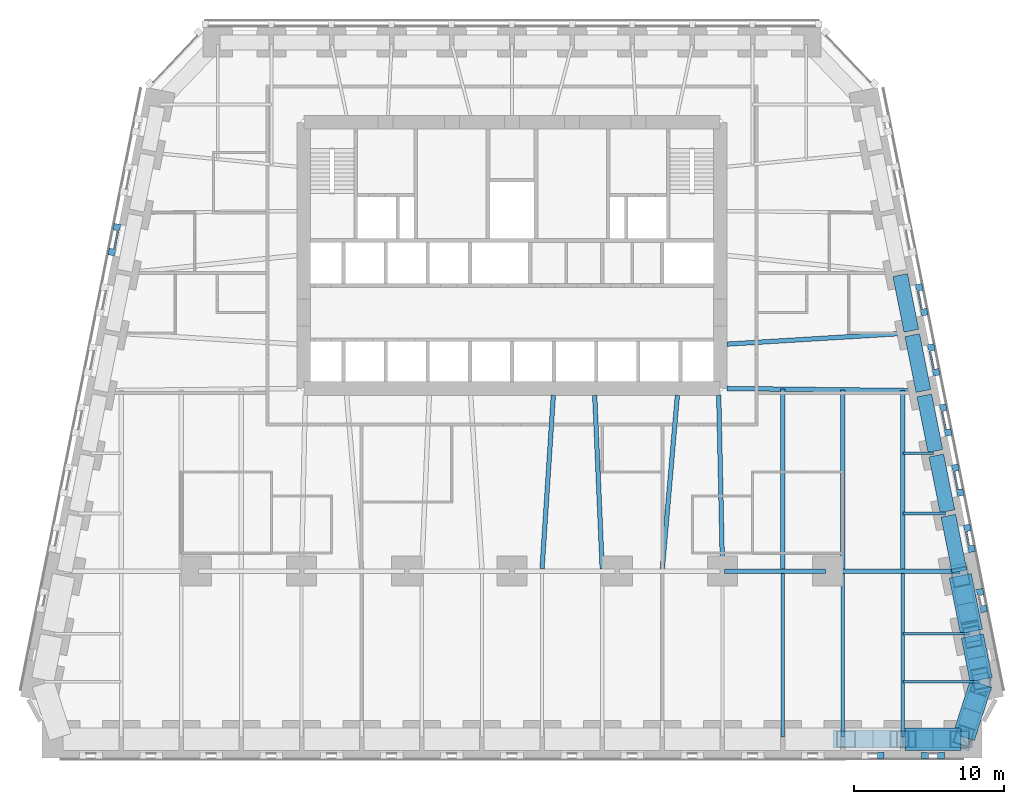
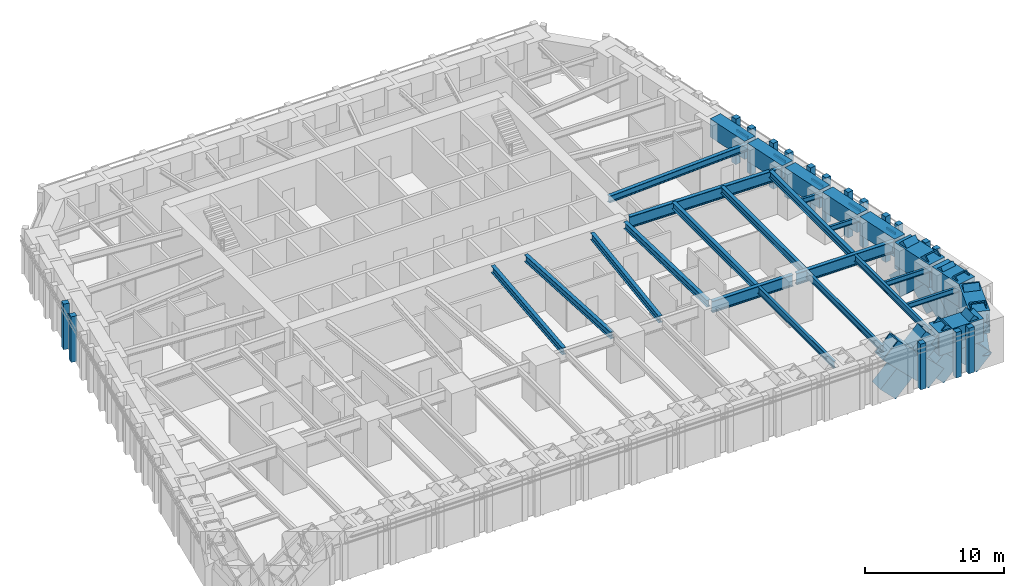
# One storey, part 3 of 16: 33 members, 27 beams, 9 elements without a shape of their own.
"""IFC4 building model written with IfcOpenShell, lengths in metres."""

from ifc_helpers import new_model, si_unit, direction, frame, origin, origin_2d, place, context, subcontext, project, spatial, rectangle, hollow_rectangle, i_section, extrude, material, material_profile, profile_set, type_object, element, aggregate, save


model = new_model("IFC4")

# Units and contexts
model_context = context("Model", 3, precision=1e-05, world=origin(), true_north=direction((0.0, 1.0)))
body_context = subcontext(model_context, "Body", "Model", "MODEL_VIEW")
ifc_project = project(units=[si_unit("LENGTHUNIT", "METRE"), si_unit("AREAUNIT", "SQUARE_METRE"), si_unit("VOLUMEUNIT", "CUBIC_METRE"), si_unit("PLANEANGLEUNIT", "RADIAN"), si_unit("MASSUNIT", "GRAM", prefix="KILO")], contexts=[model_context])

# Site, building, storey
site_placement = place(None, origin())
site = spatial("IfcSite", under=ifc_project, at=site_placement, CompositionType="ELEMENT")
building_placement = place(site_placement, origin())
building = spatial("IfcBuilding", under=site, at=building_placement, Name="Isbrekke Arena Tower", CompositionType="ELEMENT")
storey_placement = place(building_placement, frame((0.0, 0.0, 44.0)))
storey = spatial("IfcBuildingStorey", under=building, at=storey_placement, Name="L08", CompositionType="ELEMENT", Elevation=44.0)

# Beams
ifc_material_1 = material(Name="Steel S355", Category="steel")
ifc_material_profile_1 = material_profile(ifc_material_1, i_section(OverallWidth=0.219970703125, OverallDepth=0.60009765625, WebThickness=0.011962890625, FlangeThickness=0.01904296875, FilletRadius=0.02392578125, at=origin_2d()), Name="IPE 600")
ifc_profile_set_1 = profile_set([ifc_material_profile_1], Name="Steel S355")
beam_type_1 = type_object("IfcBeamType", Name="B1 IPE 600", PredefinedType="BEAM", material=ifc_profile_set_1)
for number, where, z_axis, x_axis, name in (
    (1, (18.0, -17.02490234375, 3.550048828125), (0.0, 1.0, 0.0), (-1.0, 0.0, 0.0), "B1 beam S-S13 L08"),
    (2, (22.0, -17.02490234375, 3.550048828125), (0.0, 1.0, 0.0), (-1.0, 0.0, 0.0), "B1 beam S-S14 L08"),
    (3, (26.0, -17.02490234375, 3.550048828125), (0.0, 1.0, 0.0), (-1.0, 0.0, 0.0), "B1 beam S-S15 L08"),
):
    element("IfcBeam", number, at=place(storey_placement, frame(where, z_axis=z_axis, x_axis=x_axis)), inside=storey, type_object=beam_type_1, Name=name, PredefinedType="BEAM", context=body_context, shape_type="SweptSolid", body=[
        extrude(i_section(OverallWidth=0.219970703125, OverallDepth=0.60009765625, WebThickness=0.011962890625, FlangeThickness=0.01904296875, FilletRadius=0.02392578125, at=origin_2d()), origin(), (0.0, 0.0, 1.0), 10.8740234375),
    ])
ifc_material_2 = material(Name="Steel S355", Category="steel")
ifc_material_profile_2 = material_profile(ifc_material_2, i_section(OverallWidth=0.18994140625, OverallDepth=0.449951171875, WebThickness=0.009521484375, FlangeThickness=0.0146484375, FilletRadius=0.02099609375, at=origin_2d()), Name="IPE 450")
ifc_profile_set_2 = profile_set([ifc_material_profile_2], Name="Steel S355")
beam_type_2 = type_object("IfcBeamType", Name="B2 IPE 450", PredefinedType="BEAM", material=ifc_profile_set_2)
beam_1_placement = place(storey_placement, frame((31.079345703125, -13.352783203125, 3.625), z_axis=(-1.0, 0.0, 0.0), x_axis=(0.0, -1.0, 0.0)))
element("IfcBeam", 4, at=beam_1_placement, inside=storey, type_object=beam_type_2, Name="B2 beam E-E01 L08", PredefinedType="BEAM", context=body_context, shape_type="SweptSolid", body=[
    extrude(i_section(OverallWidth=0.18994140625, OverallDepth=0.449951171875, WebThickness=0.009521484375, FlangeThickness=0.0146484375, FilletRadius=0.02099609375, at=origin_2d()), origin(), (0.0, 0.0, 1.0), 5.079345703125),
])
beam_2_placement = place(storey_placement, frame((30.44091796875, -10.161865234375, 3.625), z_axis=(-1.0, 0.0, 0.0), x_axis=(0.0, -1.0, 0.0)))
element("IfcBeam", 5, at=beam_2_placement, inside=storey, type_object=beam_type_2, Name="B2 beam E-E02 L08", PredefinedType="BEAM", context=body_context, shape_type="SweptSolid", body=[
    extrude(i_section(OverallWidth=0.18994140625, OverallDepth=0.449951171875, WebThickness=0.009521484375, FlangeThickness=0.0146484375, FilletRadius=0.02099609375, at=origin_2d()), origin(), (0.0, 0.0, 1.0), 4.44091796875),
])
beam_3_placement = place(storey_placement, frame((28.841064453125, -2.161865234375, 3.625), z_axis=(-1.0, 0.0, 0.0), x_axis=(0.0, -1.0, 0.0)))
element("IfcBeam", 6, at=beam_3_placement, inside=storey, type_object=beam_type_2, Name="B2 beam E-E04 L08", PredefinedType="BEAM", context=body_context, shape_type="SweptSolid", body=[
    extrude(i_section(OverallWidth=0.18994140625, OverallDepth=0.449951171875, WebThickness=0.009521484375, FlangeThickness=0.0146484375, FilletRadius=0.02099609375, at=origin_2d()), origin(), (0.0, 0.0, 1.0), 2.841064453125),
])
beam_4_placement = place(storey_placement, frame((28.041015625, 1.838134765625, 3.625), z_axis=(-1.0, 0.0, 0.0), x_axis=(0.0, -1.0, 0.0)))
element("IfcBeam", 7, at=beam_4_placement, inside=storey, type_object=beam_type_2, Name="B2 beam E-E05 L08", PredefinedType="BEAM", context=body_context, shape_type="SweptSolid", body=[
    extrude(i_section(OverallWidth=0.18994140625, OverallDepth=0.449951171875, WebThickness=0.009521484375, FlangeThickness=0.0146484375, FilletRadius=0.02099609375, at=origin_2d()), origin(), (0.0, 0.0, 1.0), 2.041015625),
])
ifc_material_3 = material(Name="Steel S355", Category="steel")
ifc_material_profile_3 = material_profile(ifc_material_3, i_section(OverallWidth=0.300048828125, OverallDepth=0.60009765625, WebThickness=0.015380859375, FlangeThickness=0.030029296875, FilletRadius=0.027099609375, at=origin_2d()), Name="HEB 600")
ifc_profile_set_3 = profile_set([ifc_material_profile_3], Name="Steel S355")
beam_type_3 = type_object("IfcBeamType", Name="B7 HEB 600", PredefinedType="BEAM", material=ifc_profile_set_3)
beam_5_placement = place(storey_placement, frame((2.000732421875, -5.83935546875, 3.550048828125), z_axis=(0.064795318476, 0.997898575359, 0.0), x_axis=(-0.997898575359, 0.064795318476, 0.0)))
element("IfcBeam", 8, at=beam_5_placement, inside=storey, type_object=beam_type_3, Name="B7 beam C-M08 L08", PredefinedType="BEAM", context=body_context, shape_type="SweptSolid", body=[
    extrude(i_section(OverallWidth=0.300048828125, OverallDepth=0.60009765625, WebThickness=0.015380859375, FlangeThickness=0.030029296875, FilletRadius=0.027099609375, at=origin_2d()), origin(), (0.0, 0.0, 1.0), 11.563720703125),
])
beam_6_placement = place(storey_placement, frame((5.999755859375, -5.842529296875, 3.550048828125), z_axis=(-0.04325656756, 0.99906399663, 0.0), x_axis=(-0.99906399663, -0.04325656756, 0.0)))
element("IfcBeam", 9, at=beam_6_placement, inside=storey, type_object=beam_type_3, Name="B7 beam C-M09 L08", PredefinedType="BEAM", context=body_context, shape_type="SweptSolid", body=[
    extrude(i_section(OverallWidth=0.300048828125, OverallDepth=0.60009765625, WebThickness=0.015380859375, FlangeThickness=0.030029296875, FilletRadius=0.027099609375, at=origin_2d()), origin(), (0.0, 0.0, 1.0), 11.55322265625),
])
beam_7_placement = place(storey_placement, frame((10.001220703125, -5.836181640625, 3.550048828125), z_axis=(0.086255671377, 0.996273034442, 0.0), x_axis=(-0.996273034442, 0.086255671377, 0.0)))
element("IfcBeam", 10, at=beam_7_placement, inside=storey, type_object=beam_type_3, Name="B7 beam C-M10 L08", PredefinedType="BEAM", context=body_context, shape_type="SweptSolid", body=[
    extrude(i_section(OverallWidth=0.300048828125, OverallDepth=0.60009765625, WebThickness=0.015380859375, FlangeThickness=0.030029296875, FilletRadius=0.027099609375, at=origin_2d()), origin(), (0.0, 0.0, 1.0), 11.579345703125),
])
beam_8_placement = place(storey_placement, frame((14.0, -5.8466796875, 3.550048828125), z_axis=(-0.021646264273, 0.999765692171, 0.0), x_axis=(-0.999765692171, -0.021646264273, 0.0)))
element("IfcBeam", 11, at=beam_8_placement, inside=storey, type_object=beam_type_3, Name="B7 beam C-M11 L08", PredefinedType="BEAM", context=body_context, shape_type="SweptSolid", body=[
    extrude(i_section(OverallWidth=0.300048828125, OverallDepth=0.60009765625, WebThickness=0.015380859375, FlangeThickness=0.030029296875, FilletRadius=0.027099609375, at=origin_2d()), origin(), (0.0, 0.0, 1.0), 11.54931640625),
])
beam_9_placement = place(storey_placement, frame((18.0, -5.84912109375, 3.550048828125), z_axis=(0.0, 1.0, 0.0), x_axis=(-1.0, 0.0, 0.0)))
element("IfcBeam", 12, at=beam_9_placement, inside=storey, type_object=beam_type_3, Name="B7 beam C-M12 L08", PredefinedType="BEAM", context=body_context, shape_type="SweptSolid", body=[
    extrude(i_section(OverallWidth=0.300048828125, OverallDepth=0.60009765625, WebThickness=0.015380859375, FlangeThickness=0.030029296875, FilletRadius=0.027099609375, at=origin_2d()), origin(), (0.0, 0.0, 1.0), 11.956787109375),
])
beam_10_placement = place(storey_placement, frame((22.0, -5.84912109375, 3.550048828125), z_axis=(0.0, 1.0, 0.0), x_axis=(-1.0, 0.0, 0.0)))
element("IfcBeam", 13, at=beam_10_placement, inside=storey, type_object=beam_type_3, Name="B7 beam C-M13 L08", PredefinedType="BEAM", context=body_context, shape_type="SweptSolid", body=[
    extrude(i_section(OverallWidth=0.300048828125, OverallDepth=0.60009765625, WebThickness=0.015380859375, FlangeThickness=0.030029296875, FilletRadius=0.027099609375, at=origin_2d()), origin(), (0.0, 0.0, 1.0), 11.910888671875),
])
beam_11_placement = place(storey_placement, frame((26.0, -5.84912109375, 3.550048828125), z_axis=(0.0, 1.0, 0.0), x_axis=(-1.0, 0.0, 0.0)))
element("IfcBeam", 14, at=beam_11_placement, inside=storey, type_object=beam_type_3, Name="B7 beam C-M14 L08", PredefinedType="BEAM", context=body_context, shape_type="SweptSolid", body=[
    extrude(i_section(OverallWidth=0.300048828125, OverallDepth=0.60009765625, WebThickness=0.015380859375, FlangeThickness=0.030029296875, FilletRadius=0.027099609375, at=origin_2d()), origin(), (0.0, 0.0, 1.0), 11.864990234375),
])
beam_12_placement = place(storey_placement, frame((26.431884765625, 9.837646484375, 3.550048828125), z_axis=(-0.998157121592, -0.060682457223, 0.0), x_axis=(0.060682457223, -0.998157121592, 0.0)))
element("IfcBeam", 15, at=beam_12_placement, inside=storey, type_object=beam_type_3, Name="B7 beam E-E07 L08", PredefinedType="BEAM", context=body_context, shape_type="SweptSolid", body=[
    extrude(i_section(OverallWidth=0.300048828125, OverallDepth=0.60009765625, WebThickness=0.015380859375, FlangeThickness=0.030029296875, FilletRadius=0.027099609375, at=origin_2d()), origin(), (0.0, 0.0, 1.0), 12.154296875),
])

# Curtain wall, member
ifc_material_4 = material(Name="Glazed aluminium curtain wall", Category="aluminium")
curtain_wall_type = type_object("IfcCurtainWallType", Name="CWL TOWER CURTAIN WALL LOW ZONE", PredefinedType="USERDEFINED", material=ifc_material_4)
curtain_wall_1_placement = place(storey_placement, origin())
curtain_wall_1 = element("IfcCurtainWall", 16, at=curtain_wall_1_placement, inside=storey, type_object=curtain_wall_type, Name="CWL curtain wall L08-S27", ObjectType="TOWER CURTAIN WALL LOW ZONE", PredefinedType="USERDEFINED")
ifc_material_5 = material(Name="Aluminium mullion, pale brick slip cladding", Category="masonry")
ifc_material_profile_4 = material_profile(ifc_material_5, rectangle(XDim=0.449951171875, YDim=0.449951171875, at=origin_2d()), Name="PIER 450X450")
ifc_profile_set_4 = profile_set([ifc_material_profile_4], Name="Aluminium mullion, pale brick slip cladding")
member_type_1 = type_object("IfcMemberType", Name="CWL-M PIER MULLION 450 x 450", PredefinedType="MULLION", material=ifc_profile_set_4)
member_1_placement = place(storey_placement, frame((24.52490234375, -18.25, 0.0), z_axis=(0.0, 0.0, 1.0), x_axis=(1.0, 0.0, 0.0)))
member_1 = element("IfcMember", 17, at=member_1_placement, type_object=member_type_1, Name="CWL-M mullion 2", PredefinedType="MULLION", context=body_context, shape_type="SweptSolid", body=[
    extrude(rectangle(XDim=0.449951171875, YDim=0.449951171875, at=origin_2d()), origin(), (0.0, 0.0, 1.0), 4.0),
])
aggregate(curtain_wall_1, [member_1])

# Curtain wall, members
curtain_wall_2_placement = place(storey_placement, origin())
curtain_wall_2 = element("IfcCurtainWall", 18, at=curtain_wall_2_placement, inside=storey, type_object=curtain_wall_type, Name="CWL curtain wall L08-S29", ObjectType="TOWER CURTAIN WALL LOW ZONE", PredefinedType="USERDEFINED")
member_2_placement = place(storey_placement, frame((27.47509765625, -18.25, 0.0), z_axis=(0.0, 0.0, 1.0), x_axis=(1.0, 0.0, 0.0)))
member_2 = element("IfcMember", 19, at=member_2_placement, type_object=member_type_1, Name="CWL-M mullion 1", PredefinedType="MULLION", context=body_context, shape_type="SweptSolid", body=[
    extrude(rectangle(XDim=0.449951171875, YDim=0.449951171875, at=origin_2d()), origin(), (0.0, 0.0, 1.0), 4.0),
])
member_3_placement = place(storey_placement, frame((28.527099609375, -18.25, 0.0), z_axis=(0.0, 0.0, 1.0), x_axis=(1.0, 0.0, 0.0)))
member_3 = element("IfcMember", 20, at=member_3_placement, type_object=member_type_1, Name="CWL-M mullion 2", PredefinedType="MULLION", context=body_context, shape_type="SweptSolid", body=[
    extrude(rectangle(XDim=0.449951171875, YDim=0.449951171875, at=origin_2d()), origin(), (0.0, 0.0, 1.0), 4.0),
])
aggregate(curtain_wall_2, [member_2, member_3])

curtain_wall_3_placement = place(storey_placement, origin())
curtain_wall_3 = element("IfcCurtainWall", 21, at=curtain_wall_3_placement, inside=storey, type_object=curtain_wall_type, Name="CWL curtain wall L08-E3", ObjectType="TOWER CURTAIN WALL LOW ZONE", PredefinedType="USERDEFINED")
member_4_placement = place(storey_placement, frame((31.35595703125, -8.504638671875, 0.0), z_axis=(0.0, 0.0, 1.0), x_axis=(-0.196116135138, 0.980580675691, 0.0)))
member_4 = element("IfcMember", 22, at=member_4_placement, type_object=member_type_1, Name="CWL-M mullion 1", PredefinedType="MULLION", context=body_context, shape_type="SweptSolid", body=[
    extrude(rectangle(XDim=0.449951171875, YDim=0.449951171875, at=origin_2d()), origin(), (0.0, 0.0, 1.0), 4.0),
])
member_5_placement = place(storey_placement, frame((31.134521484375, -7.397216796875, 0.0), z_axis=(0.0, 0.0, 1.0), x_axis=(-0.196116135138, 0.980580675691, 0.0)))
member_5 = element("IfcMember", 23, at=member_5_placement, type_object=member_type_1, Name="CWL-M mullion 2", PredefinedType="MULLION", context=body_context, shape_type="SweptSolid", body=[
    extrude(rectangle(XDim=0.449951171875, YDim=0.449951171875, at=origin_2d()), origin(), (0.0, 0.0, 1.0), 4.0),
])
aggregate(curtain_wall_3, [member_4, member_5])

curtain_wall_4_placement = place(storey_placement, origin())
curtain_wall_4 = element("IfcCurtainWall", 24, at=curtain_wall_4_placement, inside=storey, type_object=curtain_wall_type, Name="CWL curtain wall L08-E5", ObjectType="TOWER CURTAIN WALL LOW ZONE", PredefinedType="USERDEFINED")
member_6_placement = place(storey_placement, frame((30.555908203125, -4.504638671875, 0.0), z_axis=(0.0, 0.0, 1.0), x_axis=(-0.196116135138, 0.980580675691, 0.0)))
member_6 = element("IfcMember", 25, at=member_6_placement, type_object=member_type_1, Name="CWL-M mullion 1", PredefinedType="MULLION", context=body_context, shape_type="SweptSolid", body=[
    extrude(rectangle(XDim=0.449951171875, YDim=0.449951171875, at=origin_2d()), origin(), (0.0, 0.0, 1.0), 4.0),
])
member_7_placement = place(storey_placement, frame((30.280517578125, -3.127685546875, 0.0), z_axis=(0.0, 0.0, 1.0), x_axis=(-0.196116135138, 0.980580675691, 0.0)))
member_7 = element("IfcMember", 26, at=member_7_placement, type_object=member_type_1, Name="CWL-M mullion 2", PredefinedType="MULLION", context=body_context, shape_type="SweptSolid", body=[
    extrude(rectangle(XDim=0.449951171875, YDim=0.449951171875, at=origin_2d()), origin(), (0.0, 0.0, 1.0), 4.0),
])

curtain_wall_5_placement = place(storey_placement, origin())
curtain_wall_5 = element("IfcCurtainWall", 27, at=curtain_wall_5_placement, inside=storey, type_object=curtain_wall_type, Name="CWL curtain wall L08-E7", ObjectType="TOWER CURTAIN WALL LOW ZONE", PredefinedType="USERDEFINED")
member_8_placement = place(storey_placement, frame((29.809814453125, -0.774169921875, 0.0), z_axis=(0.0, 0.0, 1.0), x_axis=(-0.196116135138, 0.980580675691, 0.0)))
member_8 = element("IfcMember", 28, at=member_8_placement, type_object=member_type_1, Name="CWL-M mullion 1", PredefinedType="MULLION", context=body_context, shape_type="SweptSolid", body=[
    extrude(rectangle(XDim=0.449951171875, YDim=0.449951171875, at=origin_2d()), origin(), (0.0, 0.0, 1.0), 4.0),
])
member_9_placement = place(storey_placement, frame((29.48046875, 0.872314453125, 0.0), z_axis=(0.0, 0.0, 1.0), x_axis=(-0.196116135138, 0.980580675691, 0.0)))
member_9 = element("IfcMember", 29, at=member_9_placement, type_object=member_type_1, Name="CWL-M mullion 2", PredefinedType="MULLION", context=body_context, shape_type="SweptSolid", body=[
    extrude(rectangle(XDim=0.449951171875, YDim=0.449951171875, at=origin_2d()), origin(), (0.0, 0.0, 1.0), 4.0),
])

curtain_wall_6_placement = place(storey_placement, origin())
curtain_wall_6 = element("IfcCurtainWall", 30, at=curtain_wall_6_placement, inside=storey, type_object=curtain_wall_type, Name="CWL curtain wall L08-E9", ObjectType="TOWER CURTAIN WALL LOW ZONE", PredefinedType="USERDEFINED")
member_10_placement = place(storey_placement, frame((29.009765625, 3.225830078125, 0.0), z_axis=(0.0, 0.0, 1.0), x_axis=(-0.196116135138, 0.980580675691, 0.0)))
member_10 = element("IfcMember", 31, at=member_10_placement, type_object=member_type_1, Name="CWL-M mullion 1", PredefinedType="MULLION", context=body_context, shape_type="SweptSolid", body=[
    extrude(rectangle(XDim=0.449951171875, YDim=0.449951171875, at=origin_2d()), origin(), (0.0, 0.0, 1.0), 4.0),
])
member_11_placement = place(storey_placement, frame((28.680419921875, 4.872314453125, 0.0), z_axis=(0.0, 0.0, 1.0), x_axis=(-0.196116135138, 0.980580675691, 0.0)))
member_11 = element("IfcMember", 32, at=member_11_placement, type_object=member_type_1, Name="CWL-M mullion 2", PredefinedType="MULLION", context=body_context, shape_type="SweptSolid", body=[
    extrude(rectangle(XDim=0.449951171875, YDim=0.449951171875, at=origin_2d()), origin(), (0.0, 0.0, 1.0), 4.0),
])

curtain_wall_7_placement = place(storey_placement, origin())
curtain_wall_7 = element("IfcCurtainWall", 33, at=curtain_wall_7_placement, inside=storey, type_object=curtain_wall_type, Name="CWL curtain wall L08-E11", ObjectType="TOWER CURTAIN WALL LOW ZONE", PredefinedType="USERDEFINED")
member_12_placement = place(storey_placement, frame((28.209716796875, 7.225830078125, 0.0), z_axis=(0.0, 0.0, 1.0), x_axis=(-0.196116135138, 0.980580675691, 0.0)))
member_12 = element("IfcMember", 34, at=member_12_placement, type_object=member_type_1, Name="CWL-M mullion 1", PredefinedType="MULLION", context=body_context, shape_type="SweptSolid", body=[
    extrude(rectangle(XDim=0.449951171875, YDim=0.449951171875, at=origin_2d()), origin(), (0.0, 0.0, 1.0), 4.0),
])
member_13_placement = place(storey_placement, frame((27.88037109375, 8.872314453125, 0.0), z_axis=(0.0, 0.0, 1.0), x_axis=(-0.196116135138, 0.980580675691, 0.0)))
member_13 = element("IfcMember", 35, at=member_13_placement, type_object=member_type_1, Name="CWL-M mullion 2", PredefinedType="MULLION", context=body_context, shape_type="SweptSolid", body=[
    extrude(rectangle(XDim=0.449951171875, YDim=0.449951171875, at=origin_2d()), origin(), (0.0, 0.0, 1.0), 4.0),
])

curtain_wall_8_placement = place(storey_placement, origin())
curtain_wall_8 = element("IfcCurtainWall", 36, at=curtain_wall_8_placement, inside=storey, type_object=curtain_wall_type, Name="CWL curtain wall L08-E13", ObjectType="TOWER CURTAIN WALL LOW ZONE", PredefinedType="USERDEFINED")
member_14_placement = place(storey_placement, frame((27.409912109375, 11.225830078125, 0.0), z_axis=(0.0, 0.0, 1.0), x_axis=(-0.196116135138, 0.980580675691, 0.0)))
member_14 = element("IfcMember", 37, at=member_14_placement, type_object=member_type_1, Name="CWL-M mullion 1", PredefinedType="MULLION", context=body_context, shape_type="SweptSolid", body=[
    extrude(rectangle(XDim=0.449951171875, YDim=0.449951171875, at=origin_2d()), origin(), (0.0, 0.0, 1.0), 4.0),
])
member_15_placement = place(storey_placement, frame((27.08056640625, 12.872314453125, 0.0), z_axis=(0.0, 0.0, 1.0), x_axis=(-0.196116135138, 0.980580675691, 0.0)))
member_15 = element("IfcMember", 38, at=member_15_placement, type_object=member_type_1, Name="CWL-M mullion 2", PredefinedType="MULLION", context=body_context, shape_type="SweptSolid", body=[
    extrude(rectangle(XDim=0.449951171875, YDim=0.449951171875, at=origin_2d()), origin(), (0.0, 0.0, 1.0), 4.0),
])

curtain_wall_9_placement = place(storey_placement, origin())
curtain_wall_9 = element("IfcCurtainWall", 39, at=curtain_wall_9_placement, inside=storey, type_object=curtain_wall_type, Name="CWL curtain wall L08-W5", ObjectType="TOWER CURTAIN WALL LOW ZONE", PredefinedType="USERDEFINED")
member_16_placement = place(storey_placement, frame((-26.280517578125, 16.872314453125, 0.0), z_axis=(0.0, 0.0, 1.0), x_axis=(-0.196116135138, -0.980580675691, 0.0)))
member_16 = element("IfcMember", 40, at=member_16_placement, type_object=member_type_1, Name="CWL-M mullion 1", PredefinedType="MULLION", context=body_context, shape_type="SweptSolid", body=[
    extrude(rectangle(XDim=0.449951171875, YDim=0.449951171875, at=origin_2d()), origin(), (0.0, 0.0, 1.0), 4.0),
])
member_17_placement = place(storey_placement, frame((-26.60986328125, 15.225830078125, 0.0), z_axis=(0.0, 0.0, 1.0), x_axis=(-0.196116135138, -0.980580675691, 0.0)))
member_17 = element("IfcMember", 41, at=member_17_placement, type_object=member_type_1, Name="CWL-M mullion 2", PredefinedType="MULLION", context=body_context, shape_type="SweptSolid", body=[
    extrude(rectangle(XDim=0.449951171875, YDim=0.449951171875, at=origin_2d()), origin(), (0.0, 0.0, 1.0), 4.0),
])

# Member
ifc_material_6 = material(Name="Aluminium transom", Category="aluminium")
ifc_material_profile_5 = material_profile(ifc_material_6, rectangle(XDim=0.1201171875, YDim=0.199951171875, at=origin_2d()), Name="TRANSOM 120X200")
ifc_profile_set_5 = profile_set([ifc_material_profile_5], Name="Aluminium transom")
member_type_2 = type_object("IfcMemberType", Name="CWL-T TRANSOM 120 x 200", PredefinedType="USERDEFINED", material=ifc_profile_set_5)
member_18_placement = place(storey_placement, frame((30.38916015625, -4.30859375, 3.0), z_axis=(-0.19596853661, 0.980610183844, 0.0), x_axis=(-0.980610183844, -0.19596853661, 0.0)))
member_18 = element("IfcMember", 42, at=member_18_placement, type_object=member_type_2, Name="CWL-T transom 1", ObjectType="TRANSOM", PredefinedType="USERDEFINED", context=body_context, shape_type="SweptSolid", body=[
    extrude(rectangle(XDim=0.1201171875, YDim=0.199951171875, at=origin_2d()), origin(), (0.0, 0.0, 1.0), 0.954345703125),
])

aggregate(curtain_wall_4, [member_6, member_7, member_18])

member_19_placement = place(storey_placement, frame((29.64306640625, -0.578125, 3.0), z_axis=(-0.196039741533, 0.980595951317, 0.0), x_axis=(-0.980595951317, -0.196039741533, 0.0)))
member_19 = element("IfcMember", 43, at=member_19_placement, type_object=member_type_2, Name="CWL-T transom 1", ObjectType="TRANSOM", PredefinedType="USERDEFINED", context=body_context, shape_type="SweptSolid", body=[
    extrude(rectangle(XDim=0.1201171875, YDim=0.199951171875, at=origin_2d()), origin(), (0.0, 0.0, 1.0), 1.229248046875),
])

aggregate(curtain_wall_5, [member_8, member_9, member_19])

member_20_placement = place(storey_placement, frame((28.843017578125, 3.421875, 3.0), z_axis=(-0.196039741533, 0.980595951317, 0.0), x_axis=(-0.980595951317, -0.196039741533, 0.0)))
member_20 = element("IfcMember", 44, at=member_20_placement, type_object=member_type_2, Name="CWL-T transom 1", ObjectType="TRANSOM", PredefinedType="USERDEFINED", context=body_context, shape_type="SweptSolid", body=[
    extrude(rectangle(XDim=0.1201171875, YDim=0.199951171875, at=origin_2d()), origin(), (0.0, 0.0, 1.0), 1.229248046875),
])

aggregate(curtain_wall_6, [member_10, member_11, member_20])

member_21_placement = place(storey_placement, frame((28.043212890625, 7.421875, 3.0), z_axis=(-0.19623071885, 0.980557751986, 0.0), x_axis=(-0.980557751986, -0.19623071885, 0.0)))
member_21 = element("IfcMember", 45, at=member_21_placement, type_object=member_type_2, Name="CWL-T transom 1", ObjectType="TRANSOM", PredefinedType="USERDEFINED", context=body_context, shape_type="SweptSolid", body=[
    extrude(rectangle(XDim=0.1201171875, YDim=0.199951171875, at=origin_2d()), origin(), (0.0, 0.0, 1.0), 1.229248046875),
])

aggregate(curtain_wall_7, [member_12, member_13, member_21])

member_22_placement = place(storey_placement, frame((27.2431640625, 11.421875, 3.0), z_axis=(-0.19623071885, 0.980557751986, 0.0), x_axis=(-0.980557751986, -0.19623071885, 0.0)))
member_22 = element("IfcMember", 46, at=member_22_placement, type_object=member_type_2, Name="CWL-T transom 1", ObjectType="TRANSOM", PredefinedType="USERDEFINED", context=body_context, shape_type="SweptSolid", body=[
    extrude(rectangle(XDim=0.1201171875, YDim=0.199951171875, at=origin_2d()), origin(), (0.0, 0.0, 1.0), 1.229248046875),
])

aggregate(curtain_wall_8, [member_14, member_15, member_22])

member_23_placement = place(storey_placement, frame((-26.2021484375, 16.627197265625, 3.0), z_axis=(-0.196039741533, -0.980595951317, 0.0), x_axis=(0.980595951317, -0.196039741533, 0.0)))
member_23 = element("IfcMember", 47, at=member_23_placement, type_object=member_type_2, Name="CWL-T transom 1", ObjectType="TRANSOM", PredefinedType="USERDEFINED", context=body_context, shape_type="SweptSolid", body=[
    extrude(rectangle(XDim=0.1201171875, YDim=0.199951171875, at=origin_2d()), origin(), (0.0, 0.0, 1.0), 1.229248046875),
])

aggregate(curtain_wall_9, [member_16, member_17, member_23])

# Beams
ifc_material_7 = material(Name="Steel S355", Category="steel")
ifc_material_profile_6 = material_profile(ifc_material_7, i_section(OverallWidth=0.302001953125, OverallDepth=1.008056640625, WebThickness=0.02099609375, FlangeThickness=0.0400390625, FilletRadius=0.030029296875, at=origin_2d()), Name="HEM 1000")
ifc_profile_set_6 = profile_set([ifc_material_profile_6], Name="Steel S355")
beam_type_4 = type_object("IfcBeamType", Name="G1 HEM 1000", PredefinedType="BEAM", material=ifc_profile_set_6)
beam_13_placement = place(storey_placement, frame((14.14990234375, -6.0, 3.345947265625), z_axis=(1.0, 0.0, 0.0), x_axis=(0.0, 1.0, 0.0)))
element("IfcBeam", 48, at=beam_13_placement, inside=storey, type_object=beam_type_4, Name="G1 beam G1-07 L08", PredefinedType="BEAM", context=body_context, shape_type="SweptSolid", body=[
    extrude(i_section(OverallWidth=0.302001953125, OverallDepth=1.008056640625, WebThickness=0.02099609375, FlangeThickness=0.0400390625, FilletRadius=0.030029296875, at=origin_2d()), origin(), (0.0, 0.0, 1.0), 6.7001953125),
])
beam_14_placement = place(storey_placement, frame((21.14990234375, -6.0, 3.345947265625), z_axis=(1.0, 0.0, 0.0), x_axis=(0.0, 1.0, 0.0)))
element("IfcBeam", 49, at=beam_14_placement, inside=storey, type_object=beam_type_4, Name="G1 beam G1-08 L08", PredefinedType="BEAM", context=body_context, shape_type="SweptSolid", body=[
    extrude(i_section(OverallWidth=0.302001953125, OverallDepth=1.008056640625, WebThickness=0.02099609375, FlangeThickness=0.0400390625, FilletRadius=0.030029296875, at=origin_2d()), origin(), (0.0, 0.0, 1.0), 8.64111328125),
])
ifc_material_8 = material(Name="Steel S355", Category="steel")
ifc_material_profile_7 = material_profile(ifc_material_8, i_section(OverallWidth=0.302001953125, OverallDepth=1.008056640625, WebThickness=0.02099609375, FlangeThickness=0.0400390625, FilletRadius=0.030029296875, at=origin_2d()), Name="HEM 1000")
ifc_profile_set_7 = profile_set([ifc_material_profile_7], Name="Steel S355")
beam_type_5 = type_object("IfcBeamType", Name="G2 HEM 1000", PredefinedType="BEAM", material=ifc_profile_set_7)
beam_15_placement = place(storey_placement, frame((14.300048828125, 6.14990234375, 3.345947265625), z_axis=(0.999934429634, -0.011451481699, 0.0), x_axis=(0.011451481699, 0.999934429634, 0.0)))
element("IfcBeam", 50, at=beam_15_placement, inside=storey, type_object=beam_type_5, Name="G2 beam G2-E L08", PredefinedType="BEAM", context=body_context, shape_type="SweptSolid", body=[
    extrude(i_section(OverallWidth=0.302001953125, OverallDepth=1.008056640625, WebThickness=0.02099609375, FlangeThickness=0.0400390625, FilletRadius=0.030029296875, at=origin_2d()), origin(), (0.0, 0.0, 1.0), 13.09033203125),
])
ifc_material_9 = material(Name="Concrete B90 (C90/105)", Category="concrete")
ifc_material_profile_8 = material_profile(ifc_material_9, rectangle(XDim=1.0, YDim=1.60009765625, at=origin_2d()), Name="RC 1000x1600")
ifc_profile_set_8 = profile_set([ifc_material_profile_8], Name="Concrete B90 (C90/105)")
beam_type_6 = type_object("IfcBeamType", Name="SB1 RC 1000 x 1600", PredefinedType="SPANDREL", material=ifc_profile_set_8)
for number, where, z_axis, x_axis, name in (
    (51, (29.76171875, -6.0146484375, 3.199951171875), (-0.196128558387, 0.980578190959, 0.0), (-0.980578190959, -0.196128558387, 0.0), "SB1 spandrel E03-E04 L08"),
    (52, (28.961669921875, -2.0146484375, 3.199951171875), (-0.196128558387, 0.980578190959, 0.0), (-0.980578190959, -0.196128558387, 0.0), "SB1 spandrel E04-E05 L08"),
    (53, (28.16162109375, 1.9853515625, 3.199951171875), (-0.196128558387, 0.980578190959, 0.0), (-0.980578190959, -0.196128558387, 0.0), "SB1 spandrel E05-E06 L08"),
    (54, (27.361572265625, 5.9853515625, 3.199951171875), (-0.196128558387, 0.980578190959, 0.0), (-0.980578190959, -0.196128558387, 0.0), "SB1 spandrel E06-E07 L08"),
):
    element("IfcBeam", number, at=place(storey_placement, frame(where, z_axis=z_axis, x_axis=x_axis)), inside=storey, type_object=beam_type_6, Name=name, PredefinedType="SPANDREL", context=body_context, shape_type="SweptSolid", body=[
        extrude(rectangle(XDim=1.0, YDim=1.60009765625, at=origin_2d()), origin(), (0.0, 0.0, 1.0), 3.779296875),
    ])
beam_16_placement = place(storey_placement, frame((26.5615234375, 9.9853515625, 3.199951171875), z_axis=(-0.1960664412, 0.980590613169, 0.0), x_axis=(-0.980590613169, -0.1960664412, 0.0)))
element("IfcBeam", 55, at=beam_16_placement, inside=storey, type_object=beam_type_6, Name="SB1 spandrel E07-E08 L08", PredefinedType="SPANDREL", context=body_context, shape_type="SweptSolid", body=[
    extrude(rectangle(XDim=1.0, YDim=1.60009765625, at=origin_2d()), origin(), (0.0, 0.0, 1.0), 3.779052734375),
])
ifc_material_10 = material(Name="Concrete B90 (C90/105)", Category="concrete")
ifc_material_profile_9 = material_profile(ifc_material_10, rectangle(XDim=1.5, YDim=2.0, at=origin_2d()), Name="RC 1500x2000")
ifc_profile_set_9 = profile_set([ifc_material_profile_9], Name="Concrete B90 (C90/105)")
beam_type_7 = type_object("IfcBeamType", Name="SB6 RC 1500 x 2000", PredefinedType="SPANDREL", material=ifc_profile_set_9)
beam_17_placement = place(storey_placement, frame((26.14990234375, -17.175048828125, 3.0), z_axis=(1.0, 0.0, 0.0), x_axis=(0.0, 1.0, 0.0)))
element("IfcBeam", 56, at=beam_17_placement, inside=storey, type_object=beam_type_7, Name="SB6 spandrel S15-S16 L08", PredefinedType="SPANDREL", context=body_context, shape_type="SweptSolid", body=[
    extrude(rectangle(XDim=1.5, YDim=2.0, at=origin_2d()), origin(), (0.0, 0.0, 1.0), 3.7001953125),
])
beam_18_placement = place(storey_placement, frame((30.0458984375, -17.0322265625, 3.0), z_axis=(0.306175101476, 0.951975213562, 0.0), x_axis=(-0.951975213562, 0.306175101476, 0.0)))
element("IfcBeam", 57, at=beam_18_placement, inside=storey, type_object=beam_type_7, Name="SB6 spandrel S16-E01 L08", PredefinedType="SPANDREL", context=body_context, shape_type="SweptSolid", body=[
    extrude(rectangle(XDim=1.5, YDim=2.0, at=origin_2d()), origin(), (0.0, 0.0, 1.0), 3.715087890625),
])
beam_19_placement = place(storey_placement, frame((31.19970703125, -13.205810546875, 3.0), z_axis=(-0.196100243168, 0.980583853951, 0.0), x_axis=(-0.980583853951, -0.196100243168, 0.0)))
element("IfcBeam", 58, at=beam_19_placement, inside=storey, type_object=beam_type_7, Name="SB6 spandrel E01-E02 L08", PredefinedType="SPANDREL", context=body_context, shape_type="SweptSolid", body=[
    extrude(rectangle(XDim=1.5, YDim=2.0, at=origin_2d()), origin(), (0.0, 0.0, 1.0), 2.954345703125),
])
beam_20_placement = place(storey_placement, frame((30.5615234375, -10.0146484375, 3.0), z_axis=(-0.1960664412, 0.980590613169, 0.0), x_axis=(-0.980590613169, -0.1960664412, 0.0)))
element("IfcBeam", 59, at=beam_20_placement, inside=storey, type_object=beam_type_7, Name="SB6 spandrel E02-E03 L08", PredefinedType="SPANDREL", context=body_context, shape_type="SweptSolid", body=[
    extrude(rectangle(XDim=1.5, YDim=2.0, at=origin_2d()), origin(), (0.0, 0.0, 1.0), 3.779052734375),
])

# Members
ifc_material_11 = material(Name="Steel S460", Category="steel")
ifc_material_profile_10 = material_profile(ifc_material_11, hollow_rectangle(XDim=1.199951171875, YDim=1.800048828125, WallThickness=0.090087890625, at=origin_2d()), Name="BOX 1200x1800x90")
ifc_profile_set_10 = profile_set([ifc_material_profile_10], Name="Steel S460")
member_type_3 = type_object("IfcMemberType", Name="TB1 BOX 1200x1800x90", PredefinedType="BRACE", material=ifc_profile_set_10)
for number, where, z_axis, x_axis, name in (
    (60, (22.0, -17.175048828125, 0.0), (0.707106781187, 0.0, 0.707106781187), (0.0, 1.0, 0.0), "TB1 transfer brace S14-S15 L08 A"),
    (61, (22.220703125, -17.175048828125, 3.779296875), (0.707106781187, 0.0, -0.707106781187), (0.0, 1.0, 0.0), "TB1 transfer brace S14-S15 L08 B"),
    (62, (26.0, -17.175048828125, 0.0), (0.707106781187, 0.0, 0.707106781187), (0.0, 1.0, 0.0), "TB1 transfer brace S15-S16 L08 A"),
    (63, (26.220703125, -17.175048828125, 3.779296875), (0.707106781187, 0.0, -0.707106781187), (0.0, 1.0, 0.0), "TB1 transfer brace S15-S16 L08 B"),
):
    element("IfcMember", number, at=place(storey_placement, frame(where, z_axis=z_axis, x_axis=x_axis)), inside=storey, type_object=member_type_3, Name=name, PredefinedType="BRACE", context=body_context, shape_type="SweptSolid", body=[
        extrude(hollow_rectangle(XDim=1.199951171875, YDim=1.800048828125, WallThickness=0.090087890625, at=origin_2d()), origin(), (0.0, 0.0, 1.0), 5.3447265625),
    ])
for number, where, z_axis, x_axis, name in (
    (64, (30.0, -17.175048828125, 0.0), (0.216888895255, 0.67441597421, 0.705777798493), (-0.951982356028, 0.306152892868, 0.0), "TB1 transfer brace S16-E01 L08 A"),
    (65, (30.067626953125, -16.96484375, 3.780029296875), (0.216888895255, 0.67441597421, -0.705777798493), (-0.951982356028, 0.306152892868, 0.0), "TB1 transfer brace S16-E01 L08 B"),
):
    element("IfcMember", number, at=place(storey_placement, frame(where, z_axis=z_axis, x_axis=x_axis)), inside=storey, type_object=member_type_3, Name=name, PredefinedType="BRACE", context=body_context, shape_type="SweptSolid", body=[
        extrude(hollow_rectangle(XDim=1.199951171875, YDim=1.800048828125, WallThickness=0.090087890625, at=origin_2d()), origin(), (0.0, 0.0, 1.0), 5.355712890625),
    ])
for number, where, z_axis, x_axis, name in (
    (66, (31.229248046875, -13.352783203125, 0.0), (-0.123773292261, 0.618815796836, 0.775723650348), (-0.980577587758, -0.196131574168, 0.0), "TB1 transfer brace E01-E02 L08 A"),
    (67, (31.1875, -13.143798828125, 3.738037109375), (-0.123773292261, 0.618815796836, -0.775723650348), (-0.980577587758, -0.196131574168, 0.0), "TB1 transfer brace E01-E02 L08 B"),
):
    element("IfcMember", number, at=place(storey_placement, frame(where, z_axis=z_axis, x_axis=x_axis)), inside=storey, type_object=member_type_3, Name=name, PredefinedType="BRACE", context=body_context, shape_type="SweptSolid", body=[
        extrude(hollow_rectangle(XDim=1.199951171875, YDim=1.800048828125, WallThickness=0.090087890625, at=origin_2d()), origin(), (0.0, 0.0, 1.0), 4.81884765625),
    ])
for number, where, z_axis, x_axis, name in (
    (68, (30.591064453125, -10.161865234375, 0.0), (-0.140028008403, 0.700140042014, 0.700140042014), (-0.980580675691, -0.196116135138, 0.0), "TB1 transfer brace E02-E03 L08 A"),
    (69, (30.547607421875, -9.944580078125, 3.782958984375), (-0.140032438362, 0.700117005481, -0.700162191812), (-0.980578241477, -0.196128305817, 0.0), "TB1 transfer brace E02-E03 L08 B"),
):
    element("IfcMember", number, at=place(storey_placement, frame(where, z_axis=z_axis, x_axis=x_axis)), inside=storey, type_object=member_type_3, Name=name, PredefinedType="BRACE", context=body_context, shape_type="SweptSolid", body=[
        extrude(hollow_rectangle(XDim=1.199951171875, YDim=1.800048828125, WallThickness=0.090087890625, at=origin_2d()), origin(), (0.0, 0.0, 1.0), 5.403076171875),
    ])

save(model, "model.ifc")
